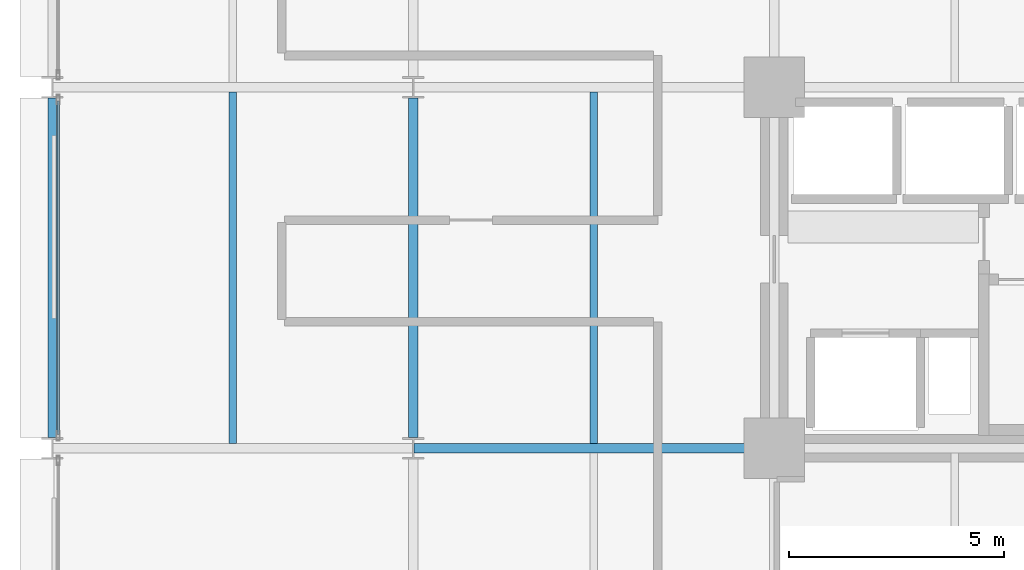
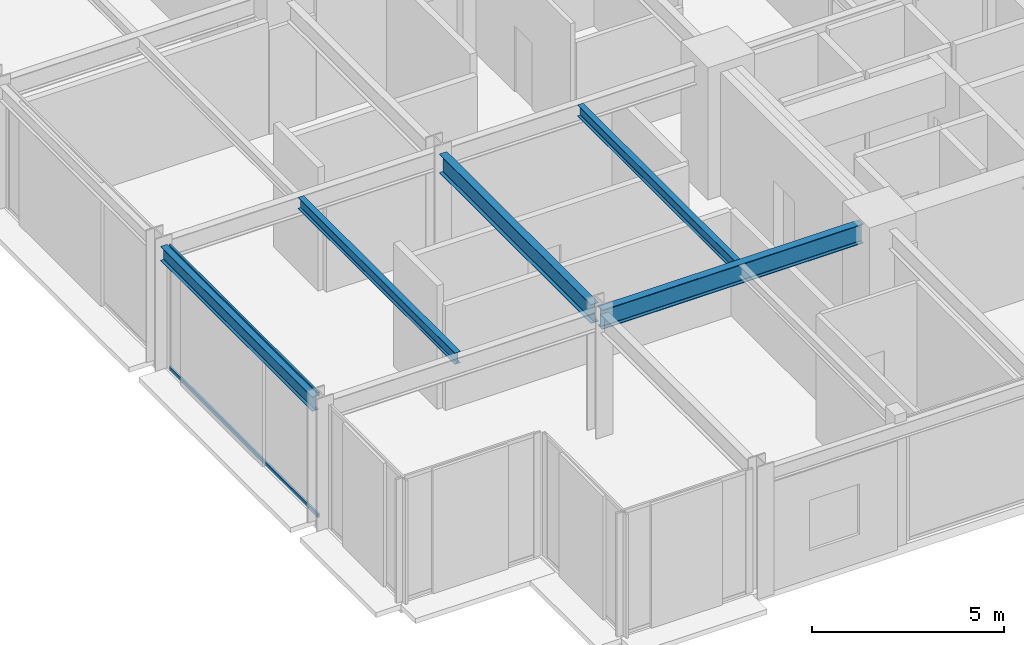
# One storey, part 5 of 27: 5 beams, 2 members, 1 element without a shape of its own.
"""IFC4 building model written with IfcOpenShell, lengths in metres."""

import ifcopenshell
import ifcopenshell.guid

model = None  # the IFC model being written
_history = None  # IfcOwnerHistory: only IFC2X3 demands one
_inside = {}  # id of a spatial element -> (the spatial element, [elements in it])
_under = {}  # id of a project, library or spatial element -> (it, [spatial elements below it])
_declared = {}  # id of a project -> (the project, [libraries it declares])
_typed = {}  # id of a type object -> (the type object, [elements of that type])
_made_of = {}  # id of a material, layer set ... -> (it, [elements and type objects made of it])


def new_model(schema):
    """Start an empty IFC model of exactly this schema.

    Asked for "IFC4X3", IfcOpenShell would pick the latest addendum, in which some entities
    have other attributes; the version numbers below select the first issue.
    IFC2X3 requires an IfcOwnerHistory on every rooted entity: one is made here for all.
    """
    global model, _history
    if schema == "IFC4X3":
        model = ifcopenshell.file(schema_version=(4, 3, 0, 0))
    else:
        model = ifcopenshell.file(schema=schema)
    _inside.clear()
    _under.clear()
    _declared.clear()
    _typed.clear()
    _made_of.clear()
    _history = None
    if model.schema == "IFC2X3":
        org = make("IfcOrganization", Name="unknown")
        user = make(
            "IfcPersonAndOrganization",
            ThePerson=make("IfcPerson", FamilyName="unknown"),
            TheOrganization=org,
        )
        app = make(
            "IfcApplication",
            ApplicationDeveloper=org,
            Version="unknown",
            ApplicationFullName="unknown",
            ApplicationIdentifier="unknown",
        )
        _history = make(
            "IfcOwnerHistory",
            OwningUser=user,
            OwningApplication=app,
            ChangeAction="ADDED",
            CreationDate=0,
        )
    return model


def make(cls, **values):
    """One entity of the class cls with the attributes given. An attribute that is None is left unset."""
    return model.create_entity(
        cls, **{name: value for name, value in values.items() if value is not None}
    )


def rooted(cls, **values):
    """An entity with a GlobalId (a new one), such as an element, a storey or a relation."""
    return make(cls, GlobalId=ifcopenshell.guid.new(), OwnerHistory=_history, **values)


def si_unit(unit_type, name, prefix=None):
    """IfcSIUnit, for example si_unit("LENGTHUNIT", "METRE", prefix="MILLI")."""
    return make("IfcSIUnit", UnitType=unit_type, Prefix=prefix, Name=name)


def assignment(units):
    """IfcUnitAssignment: the units of a project."""
    return None if units is None else make("IfcUnitAssignment", Units=units)


def point(xyz):
    """IfcCartesianPoint."""
    return None if xyz is None else make("IfcCartesianPoint", Coordinates=xyz)


def direction(xyz):
    """IfcDirection."""
    return None if xyz is None else make("IfcDirection", DirectionRatios=xyz)


def frame(location, z_axis=None, x_axis=None):
    """IfcAxis2Placement3D, a coordinate frame: its origin and axes. An axis left out is left unset."""
    return make(
        "IfcAxis2Placement3D",
        Location=point(location),
        Axis=direction(z_axis),
        RefDirection=direction(x_axis),
    )


def frame_2d(location, x_axis=None):
    """IfcAxis2Placement2D, a coordinate frame in the plane: its origin and x axis."""
    return make(
        "IfcAxis2Placement2D", Location=point(location), RefDirection=direction(x_axis)
    )


def origin():
    """The frame at (0, 0, 0) with its axes left unset."""
    return frame((0.0, 0.0, 0.0))


def origin_2d():
    """The frame at (0, 0) in the plane with its x axis left unset."""
    return frame_2d((0.0, 0.0))


def place(relative_to, where):
    """IfcLocalPlacement: puts the frame where relative to a parent placement (None: the world)."""
    return make(
        "IfcLocalPlacement", PlacementRelTo=relative_to, RelativePlacement=where
    )


def context(
    kind, dimensions, precision=None, world=None, true_north=None, identifier=None
):
    """IfcGeometricRepresentationContext, for example the 3D "Model" context."""
    return make(
        "IfcGeometricRepresentationContext",
        ContextIdentifier=identifier,
        ContextType=kind,
        CoordinateSpaceDimension=dimensions,
        Precision=precision,
        WorldCoordinateSystem=world,
        TrueNorth=true_north,
    )


def subcontext(parent, identifier, kind, view, scale=None):
    """IfcGeometricRepresentationSubContext, for example "Body" below "Model"."""
    return make(
        "IfcGeometricRepresentationSubContext",
        ContextIdentifier=identifier,
        ContextType=kind,
        ParentContext=parent,
        TargetScale=scale,
        TargetView=view,
    )


def project(units=None, contexts=None):
    """IfcProject with its units and contexts."""
    return rooted(
        "IfcProject",
        Name="project",
        RepresentationContexts=contexts,
        UnitsInContext=assignment(units),
    )


def spatial(cls, under=None, at=None, **own):
    """A site, building, storey or space (cls), placed at a placement, below another one or the project."""
    s = rooted(cls, ObjectPlacement=at, **own)
    if under is not None:
        _under.setdefault(under.id(), (under, []))[1].append(s)
    return s


def profile(cls, at=None, kind="AREA", **sizes):
    """A parametric profile (cls). Its sizes go by their IFC names, for example OverallWidth=200.0."""
    return make(cls, ProfileType=kind, Position=at, **sizes)


def hollow_rectangle(**sizes):
    """IfcRectangleHollowProfileDef."""
    return profile("IfcRectangleHollowProfileDef", **sizes)


def i_section(**sizes):
    """IfcIShapeProfileDef."""
    return profile("IfcIShapeProfileDef", **sizes)


def extrude(swept, where, along, depth):
    """IfcExtrudedAreaSolid: the profile swept, set in the frame where, extruded along a direction by depth."""
    return make(
        "IfcExtrudedAreaSolid",
        SweptArea=swept,
        Position=where,
        ExtrudedDirection=direction(along),
        Depth=depth,
    )


def shape(context_of_items, identifier, shape_type, items):
    """IfcShapeRepresentation: the items that make up one representation, for example the "Body"."""
    return make(
        "IfcShapeRepresentation",
        ContextOfItems=context_of_items,
        RepresentationIdentifier=identifier,
        RepresentationType=shape_type,
        Items=items,
    )


def material(Name=None, Category=None):
    """IfcMaterial."""
    return make("IfcMaterial", Name=Name, Category=Category)


def layer(
    of_material, thickness, ventilated=None, Name=None, Category=None, Priority=None
):
    """IfcMaterialLayer: one layer of a wall or slab, of a material (None: an air gap)."""
    return make(
        "IfcMaterialLayer",
        Material=of_material,
        LayerThickness=thickness,
        IsVentilated=ventilated,
        Name=Name,
        Category=Category,
        Priority=Priority,
    )


def layer_set(layers, Name=None):
    """IfcMaterialLayerSet."""
    return make("IfcMaterialLayerSet", MaterialLayers=layers, LayerSetName=Name)


def material_profile(
    of_material, cross_section, Name=None, Category=None, Priority=None
):
    """IfcMaterialProfile: a cross section and its material."""
    return make(
        "IfcMaterialProfile",
        Name=Name,
        Material=of_material,
        Profile=cross_section,
        Priority=Priority,
        Category=Category,
    )


def profile_set(profiles, Name=None, composite=None):
    """IfcMaterialProfileSet."""
    return make(
        "IfcMaterialProfileSet",
        Name=Name,
        MaterialProfiles=profiles,
        CompositeProfile=composite,
    )


def made_of(thing, what):
    """Note that an element or type object is made of a material, layer set ...; save() writes the relation."""
    if what is not None:
        _made_of.setdefault(what.id(), (what, []))[1].append(thing)
    return thing


def type_object(cls, material=None, **own):
    """A type object (cls), such as IfcWallType, which elements share."""
    return made_of(rooted(cls, **own), material)


def element(
    cls,
    number,
    at=None,
    inside=None,
    cuts=None,
    type_object=None,
    material=None,
    context=None,
    identifier="Body",
    shape_type=None,
    held_by="IfcProductDefinitionShape",
    body=None,
    shapes=None,
    **own,
):
    """One element of the class cls, such as IfcWall. Its Tag is "e" and its number.

    at: its placement. inside: the storey or other place that contains it. cuts: it is an
    opening in that element (IfcRelVoidsElement). A single representation is given by context,
    identifier, shape_type and body (its items); several are given by shapes. held_by: the class
    of the entity that holds the representations. save() writes the other relations.
    """
    e = rooted(cls, Tag="e%d" % number, ObjectPlacement=at, **own)
    if body is not None:
        shapes = [shape(context, identifier, shape_type, body)]
    if shapes is not None:
        e.Representation = make(held_by, Representations=shapes)
    if inside is not None:
        _inside.setdefault(inside.id(), (inside, []))[1].append(e)
    if cuts is not None:
        rooted(
            "IfcRelVoidsElement", RelatingBuildingElement=cuts, RelatedOpeningElement=e
        )
    if type_object is not None:
        _typed.setdefault(type_object.id(), (type_object, []))[1].append(e)
    return made_of(e, material)


def aggregate(whole, parts):
    """IfcRelAggregates: a whole, such as a stair, and the parts it consists of."""
    return rooted("IfcRelAggregates", RelatingObject=whole, RelatedObjects=parts)


def save(model, path):
    """Write the relations noted so far, then the file.

    IfcRelAggregates (storeys below a building ...), IfcRelContainedInSpatialStructure (elements
    in a storey), IfcRelDefinesByType, IfcRelAssociatesMaterial and IfcRelDeclares: one each for
    every whole, place, type object, material and project.
    """
    for whole, parts in _under.values():
        aggregate(whole, parts)
    for where, things in _inside.values():
        rooted(
            "IfcRelContainedInSpatialStructure",
            RelatedElements=things,
            RelatingStructure=where,
        )
    for kind, things in _typed.values():
        rooted("IfcRelDefinesByType", RelatedObjects=things, RelatingType=kind)
    for what, things in _made_of.values():
        rooted("IfcRelAssociatesMaterial", RelatedObjects=things, RelatingMaterial=what)
    for by, libraries in _declared.values():
        rooted("IfcRelDeclares", RelatingContext=by, RelatedDefinitions=libraries)
    model.write(path)


model = new_model("IFC4")

# Units and contexts
model_context = context("Model", 3, precision=1e-05, world=origin(), true_north=direction((0.0, 1.0)))
body_context = subcontext(model_context, "Body", "Model", "MODEL_VIEW")
ifc_project = project(units=[si_unit("LENGTHUNIT", "METRE"), si_unit("AREAUNIT", "SQUARE_METRE"), si_unit("VOLUMEUNIT", "CUBIC_METRE"), si_unit("PLANEANGLEUNIT", "RADIAN"), si_unit("MASSUNIT", "GRAM", prefix="KILO")], contexts=[model_context])

# Site, building, storey
site_placement = place(None, origin())
site = spatial("IfcSite", under=ifc_project, at=site_placement, CompositionType="ELEMENT")
building_placement = place(site_placement, origin())
building = spatial("IfcBuilding", under=site, at=building_placement, Name="Nerrivon Quay Data Exchange", CompositionType="ELEMENT")
storey_placement = place(building_placement, frame((0.0, 0.0, 66.800048828125)))
storey = spatial("IfcBuildingStorey", under=building, at=storey_placement, Name="L15", CompositionType="ELEMENT", Elevation=66.800048828125)

# Beams
ifc_material_1 = material(Name="Steel Grade 350", Category="steel")
ifc_material_profile_1 = material_profile(ifc_material_1, i_section(OverallWidth=0.22900390625, OverallDepth=0.612060546875, WebThickness=0.011962890625, FlangeThickness=0.01953125, FilletRadius=0.013916015625, at=origin_2d()), Name="610UB125")
ifc_profile_set_1 = profile_set([ifc_material_profile_1], Name="Steel Grade 350")
beam_type_1 = type_object("IfcBeamType", Name="BM-G1-610UB125", PredefinedType="BEAM", material=ifc_profile_set_1)
beam_1_placement = place(storey_placement, frame((8.4140625, 8.39990234375, 3.618896484375), z_axis=(1.0, 0.0, 0.0), x_axis=(0.0, 1.0, 0.0)))
element("IfcBeam", 1, at=beam_1_placement, inside=storey, type_object=beam_type_1, Name="L15 EW Girder Y=8.4 (8.4..16.8)", PredefinedType="BEAM", context=body_context, shape_type="SweptSolid", body=[
    extrude(i_section(OverallWidth=0.22900390625, OverallDepth=0.612060546875, WebThickness=0.011962890625, FlangeThickness=0.01953125, FilletRadius=0.013916015625, at=origin_2d()), origin(), (0.0, 0.0, 1.0), 7.845947265625),
])
ifc_material_profile_2 = material_profile(ifc_material_1, i_section(OverallWidth=0.22802734375, OverallDepth=0.60205078125, WebThickness=0.010498046875, FlangeThickness=0.014892578125, FilletRadius=0.013916015625, at=origin_2d()), Name="610UB101")
ifc_profile_set_2 = profile_set([ifc_material_profile_2], Name="Steel Grade 350")
beam_type_2 = type_object("IfcBeamType", Name="BM-G2-610UB101", PredefinedType="BEAM", material=ifc_profile_set_2)
beam_2_placement = place(storey_placement, frame((8.39990234375, 8.64990234375, 3.6240234375), z_axis=(0.0, 1.0, 0.0), x_axis=(-1.0, 0.0, 0.0)))
element("IfcBeam", 2, at=beam_2_placement, inside=storey, type_object=beam_type_2, Name="L15 NS Girder X=8.4 (8.4..16.8)", PredefinedType="BEAM", context=body_context, shape_type="SweptSolid", body=[
    extrude(i_section(OverallWidth=0.22802734375, OverallDepth=0.60205078125, WebThickness=0.010498046875, FlangeThickness=0.014892578125, FilletRadius=0.013916015625, at=origin_2d()), origin(), (0.0, 0.0, 1.0), 7.900146484375),
])
ifc_material_profile_3 = material_profile(ifc_material_1, i_section(OverallWidth=0.172119140625, OverallDepth=0.35888671875, WebThickness=0.008056640625, FlangeThickness=0.012939453125, FilletRadius=0.011474609375, at=origin_2d()), Name="360UB56.7")
ifc_profile_set_3 = profile_set([ifc_material_profile_3], Name="Steel Grade 350")
beam_type_3 = type_object("IfcBeamType", Name="BM-J3-360UB57", PredefinedType="JOIST", material=ifc_profile_set_3)
for number, where, z_axis, x_axis, name in (
    (3, (4.199951171875, 8.514404296875, 3.745361328125), (0.0, 1.0, 0.0), (-1.0, 0.0, 0.0), "L15 Secondary Joist X=4.2 (8.4..16.8)"),
    (4, (12.60009765625, 8.514404296875, 3.745361328125), (0.0, 1.0, 0.0), (-1.0, 0.0, 0.0), "L15 Secondary Joist X=12.6 (8.4..16.8)"),
):
    element("IfcBeam", number, at=place(storey_placement, frame(where, z_axis=z_axis, x_axis=x_axis)), inside=storey, type_object=beam_type_3, Name=name, PredefinedType="JOIST", context=body_context, shape_type="SweptSolid", body=[
        extrude(i_section(OverallWidth=0.172119140625, OverallDepth=0.35888671875, WebThickness=0.008056640625, FlangeThickness=0.012939453125, FilletRadius=0.011474609375, at=origin_2d()), origin(), (0.0, 0.0, 1.0), 8.171142578125),
    ])
ifc_material_profile_4 = material_profile(ifc_material_1, i_section(OverallWidth=0.18994140625, OverallDepth=0.4541015625, WebThickness=0.008544921875, FlangeThickness=0.0126953125, FilletRadius=0.011474609375, at=origin_2d()), Name="460UB67.1")
ifc_profile_set_4 = profile_set([ifc_material_profile_4], Name="Steel Grade 350")
beam_type_4 = type_object("IfcBeamType", Name="BM-SP1-460UB67", PredefinedType="SPANDREL", material=ifc_profile_set_4)
beam_3_placement = place(storey_placement, frame((0.0, 8.64990234375, 3.697998046875), z_axis=(0.0, 1.0, 0.0), x_axis=(-1.0, 0.0, 0.0)))
element("IfcBeam", 5, at=beam_3_placement, inside=storey, type_object=beam_type_4, Name="L15 NS Girder X=0.0 (8.4..16.8)", PredefinedType="SPANDREL", context=body_context, shape_type="SweptSolid", body=[
    extrude(i_section(OverallWidth=0.18994140625, OverallDepth=0.4541015625, WebThickness=0.008544921875, FlangeThickness=0.0126953125, FilletRadius=0.011474609375, at=origin_2d()), origin(), (0.0, 0.0, 1.0), 7.900146484375),
])

# Curtain wall, members
ifc_material_2 = material(Name="Anodised aluminium 6063-T6", Category="aluminium")
ifc_layer = layer(ifc_material_2, 0.219970703125)
ifc_layer_set = layer_set([ifc_layer], Name="Anodised aluminium 6063-T6")
curtain_wall_type = type_object("IfcCurtainWallType", Name="CW-SYS-01", PredefinedType="NOTDEFINED", material=ifc_layer_set)
curtain_wall_placement = place(storey_placement, origin())
curtain_wall = element("IfcCurtainWall", 6, at=curtain_wall_placement, inside=storey, type_object=curtain_wall_type, Name="L15 Unitised Curtain Wall 18", PredefinedType="NOTDEFINED")
ifc_material_profile_5 = material_profile(ifc_material_2, hollow_rectangle(XDim=0.06005859375, YDim=0.1201171875, WallThickness=0.003173828125, at=origin_2d()), Name="ALU-TRAN-120x60")
ifc_profile_set_5 = profile_set([ifc_material_profile_5], Name="Anodised aluminium 6063-T6")
member_type = type_object("IfcMemberType", Name="CWT-120x60", PredefinedType="USERDEFINED", material=ifc_profile_set_5)
member_1_placement = place(storey_placement, frame((0.139892578125, 8.72509765625, 0.032470703125), z_axis=(0.0, 1.0, 0.0), x_axis=(-1.0, 0.0, 0.0)))
member_1 = element("IfcMember", 7, at=member_1_placement, type_object=member_type, Name="CW01 transom 1.1", ObjectType="TRANSOM", PredefinedType="USERDEFINED", context=body_context, shape_type="SweptSolid", body=[
    extrude(hollow_rectangle(XDim=0.06005859375, YDim=0.1201171875, WallThickness=0.003173828125, at=origin_2d()), origin(), (0.0, 0.0, 1.0), 7.75),
])
member_2_placement = place(storey_placement, frame((0.139892578125, 8.72509765625, 3.892333984375), z_axis=(0.0, 1.0, 0.0), x_axis=(-1.0, 0.0, 0.0)))
member_2 = element("IfcMember", 8, at=member_2_placement, type_object=member_type, Name="CW01 transom 1.2", ObjectType="TRANSOM", PredefinedType="USERDEFINED", context=body_context, shape_type="SweptSolid", body=[
    extrude(hollow_rectangle(XDim=0.06005859375, YDim=0.1201171875, WallThickness=0.003173828125, at=origin_2d()), origin(), (0.0, 0.0, 1.0), 7.75),
])
aggregate(curtain_wall, [member_1, member_2])

save(model, "model.ifc")
